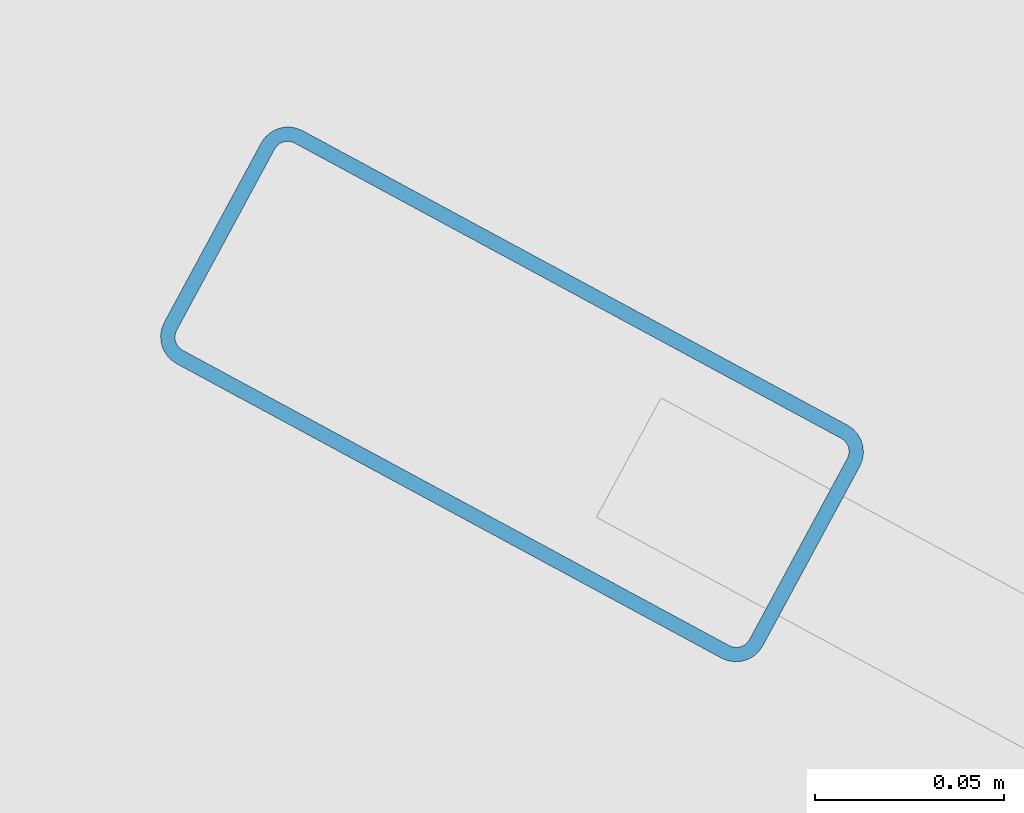
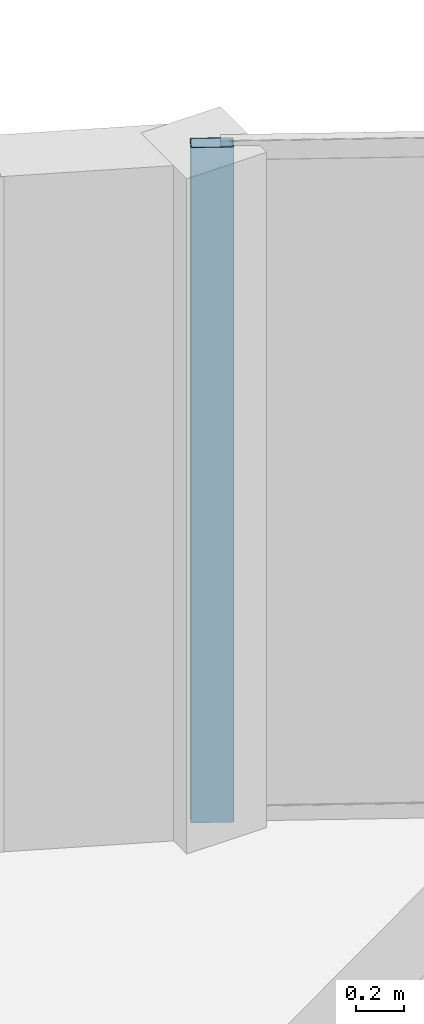
# One storey, part 7 of 13: 1 member, 1 element without a shape of its own.
"""IFC4 building model written with IfcOpenShell, lengths in metres."""

from ifc_helpers import new_model, si_unit, direction, frame, origin, origin_2d, place, context, subcontext, project, spatial, hollow_rectangle, extrude, material, layer, layer_set, material_profile, profile_set, type_object, element, aggregate, save


model = new_model("IFC4")

# Units and contexts
model_context = context("Model", 3, precision=1e-05, world=origin(), true_north=direction((0.0, 1.0)))
body_context = subcontext(model_context, "Body", "Model", "MODEL_VIEW")
ifc_project = project(units=[si_unit("LENGTHUNIT", "METRE"), si_unit("AREAUNIT", "SQUARE_METRE"), si_unit("VOLUMEUNIT", "CUBIC_METRE"), si_unit("PLANEANGLEUNIT", "RADIAN"), si_unit("MASSUNIT", "GRAM", prefix="KILO")], contexts=[model_context])

# Site, building, storey
site_placement = place(None, origin())
site = spatial("IfcSite", under=ifc_project, at=site_placement, CompositionType="ELEMENT")
building_placement = place(site_placement, origin())
building = spatial("IfcBuilding", under=site, at=building_placement, Name="An Khanh Terracotta Commons", CompositionType="ELEMENT")
storey_placement = place(building_placement, frame((0.0, 0.0, 222.89990234375)))
storey = spatial("IfcBuildingStorey", under=building, at=storey_placement, Name="L58", CompositionType="ELEMENT", Elevation=222.89990234375)

# Curtain wall, member
ifc_material = material(Name="Anodised Aluminium 6063-T6", Category="aluminium")
ifc_layer = layer(ifc_material, 0.2099609375, Name="Anodised Aluminium 6063-T6")
ifc_layer_set = layer_set([ifc_layer], Name="Anodised Aluminium 6063-T6")
curtain_wall_type = type_object("IfcCurtainWallType", Name="CW-SYS-03", PredefinedType="USERDEFINED", material=ifc_layer_set)
curtain_wall_placement = place(storey_placement, origin())
curtain_wall = element("IfcCurtainWall", 1, at=curtain_wall_placement, inside=storey, type_object=curtain_wall_type, Name="L58 CW-03 Unitised Curtain Wall CW-L58-16", ObjectType="UNITISED CURTAIN WALL", PredefinedType="USERDEFINED")
ifc_material_profile = material_profile(ifc_material, hollow_rectangle(XDim=0.070068359375, YDim=0.179931640625, WallThickness=0.00390625, InnerFilletRadius=0.00390625, OuterFilletRadius=0.008056640625, at=origin_2d()), Name="RHS180x70x4")
ifc_profile_set = profile_set([ifc_material_profile], Name="Anodised Aluminium 6063-T6")
member_type = type_object("IfcMemberType", Name="CWM-RHS180x70x4", PredefinedType="MULLION", material=ifc_profile_set)
member_placement = place(storey_placement, frame((57.3876953125, 39.058349609375, 0.0), z_axis=(0.0, 0.0, 1.0), x_axis=(-0.47538088298, -0.879780095306, 0.0)))
member = element("IfcMember", 2, at=member_placement, type_object=member_type, Name="CW-03 mullion 5", PredefinedType="MULLION", context=body_context, shape_type="SweptSolid", body=[
    extrude(hollow_rectangle(XDim=0.070068359375, YDim=0.179931640625, WallThickness=0.00390625, InnerFilletRadius=0.00390625, OuterFilletRadius=0.008056640625, at=origin_2d()), origin(), (0.0, 0.0, 1.0), 3.400146484375),
])
aggregate(curtain_wall, [member])

save(model, "model.ifc")
